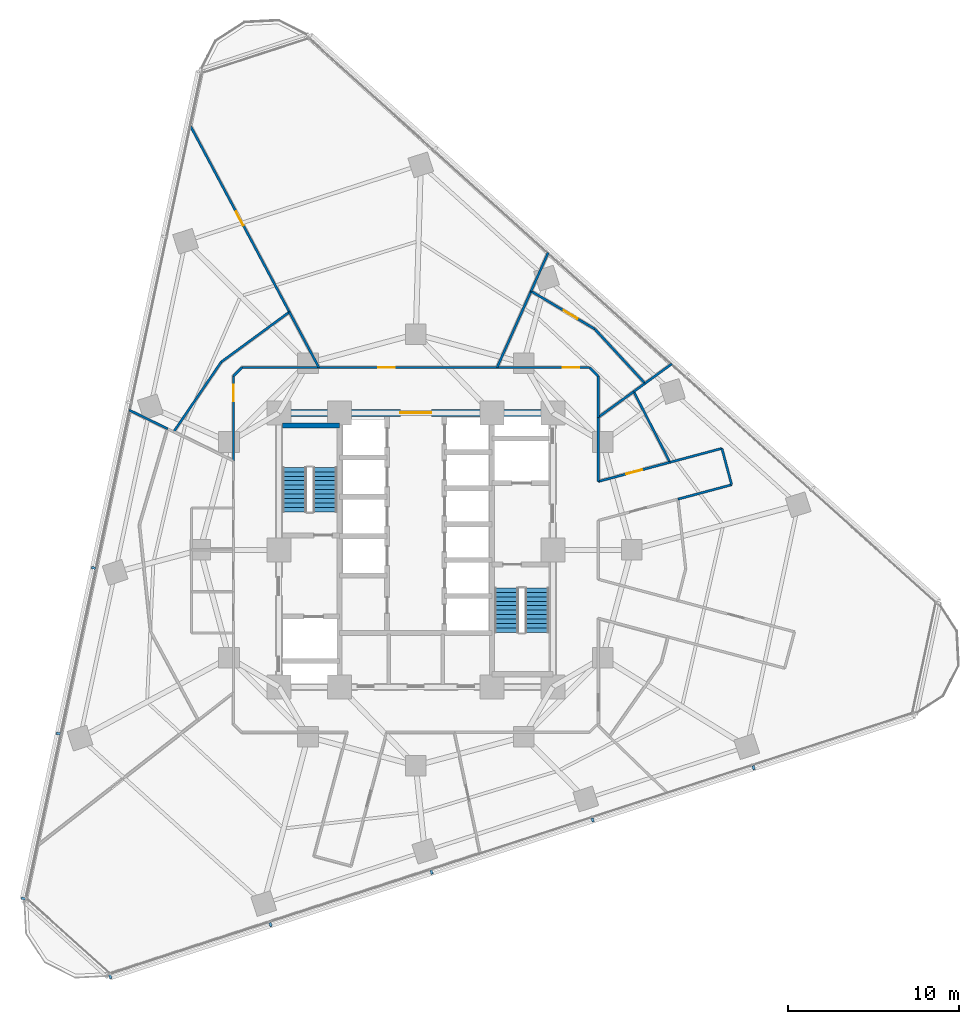
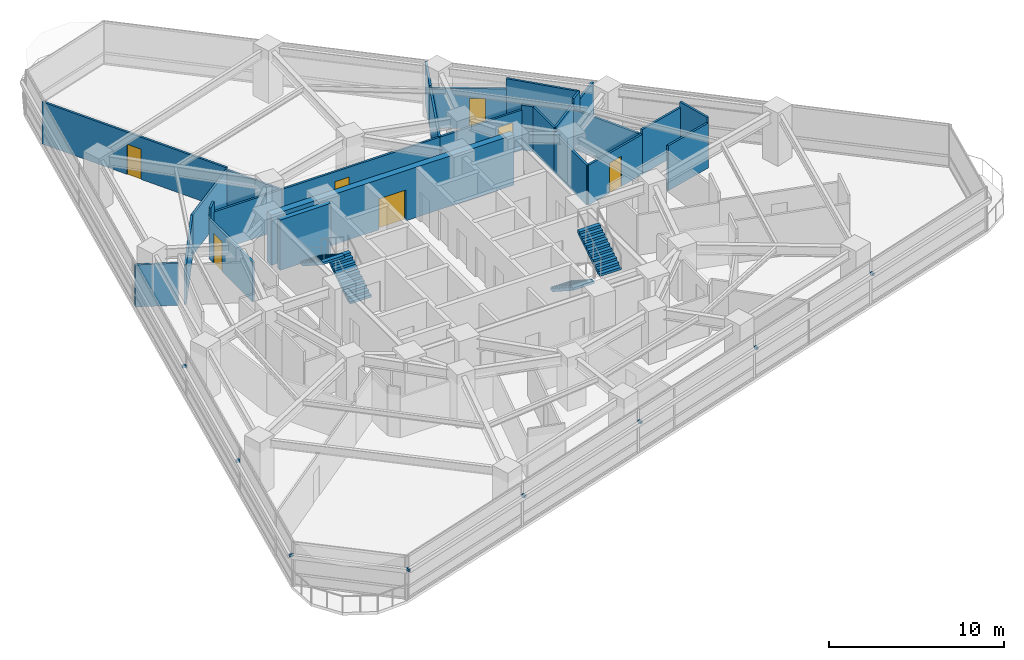
# One storey, part 9 of 13: 27 walls, 8 discrete accessories, 7 doors, 4 stair flights, 7 openings, 2 elements without a shape of their own.
"""IFC4 building model written with IfcOpenShell, lengths in metres."""

from ifc_helpers import new_model, si_unit, direction, frame, frame_2d, origin, origin_2d, place, context, subcontext, project, spatial, polyline, rectangle, outline, extrude, material, layer, layer_set, type_object, element, fill, aggregate, save


model = new_model("IFC4")

# Units and contexts
model_context = context("Model", 3, precision=1e-05, world=origin(), true_north=direction((0.0, 1.0)))
body_context = subcontext(model_context, "Body", "Model", "MODEL_VIEW")
ifc_project = project(units=[si_unit("LENGTHUNIT", "METRE"), si_unit("AREAUNIT", "SQUARE_METRE"), si_unit("VOLUMEUNIT", "CUBIC_METRE"), si_unit("PLANEANGLEUNIT", "RADIAN"), si_unit("MASSUNIT", "GRAM", prefix="KILO")], contexts=[model_context])

# Site, building, storey
site_placement = place(None, origin())
site = spatial("IfcSite", under=ifc_project, at=site_placement, CompositionType="ELEMENT")
building_placement = place(site_placement, origin())
building = spatial("IfcBuilding", under=site, at=building_placement, Name="Terralouvre Media Tower", CompositionType="ELEMENT")
storey_placement = place(building_placement, frame((0.0, 0.0, 108.800048828125)))
storey = spatial("IfcBuildingStorey", under=building, at=storey_placement, Name="L27", CompositionType="ELEMENT", Elevation=108.800048828125)

# Wall
ifc_material_1 = material(Name="Concrete C50/60", Category="concrete")
ifc_layer_1 = layer(ifc_material_1, 0.300048828125, Name="Core Internal Shaft Wall CW-300")
ifc_layer_set_1 = layer_set([ifc_layer_1], Name="Concrete C50/60")
wall_type_1 = type_object("IfcWallType", Name="Core Internal Shaft Wall CW-300", PredefinedType="SHEAR", material=ifc_layer_set_1)
wall_1_placement = place(storey_placement, frame((-7.7900390625, 7.260009765625, 0.0), z_axis=(0.0, 0.0, 1.0), x_axis=(1.0, 0.0, 0.0)))
element("IfcWall", 1, at=wall_1_placement, inside=storey, type_object=wall_type_1, Name="L27 Core Shaft Wall ST1F", PredefinedType="SHEAR", context=body_context, shape_type="SweptSolid", body=[
    extrude(rectangle(XDim=3.340087890625, YDim=0.300048828125, at=frame_2d((1.669921875, 0.0))), origin(), (0.0, 0.0, 1.0), 3.5),
])

# Wall, opening, door
ifc_material_2 = material(Name="Concrete C60/75", Category="concrete")
ifc_layer_2 = layer(ifc_material_2, 0.419921875, Name="Core Reinforced Concrete Shear Wall CW-420")
ifc_layer_set_2 = layer_set([ifc_layer_2], Name="Concrete C60/75")
wall_type_2 = type_object("IfcWallType", Name="Core Reinforced Concrete Shear Wall CW-420", PredefinedType="SHEAR", material=ifc_layer_set_2)
wall_2_placement = place(storey_placement, frame((-8.0, 8.0, 0.0), z_axis=(0.0, 0.0, 1.0), x_axis=(1.0, 0.0, 0.0)))
wall_2 = element("IfcWall", 2, at=wall_2_placement, inside=storey, type_object=wall_type_2, Name="L27 N Core Shear Wall", PredefinedType="SHEAR", context=body_context, shape_type="SweptSolid", body=[
    extrude(rectangle(XDim=16.0, YDim=0.419921875, at=frame_2d((8.0, 0.0))), origin(), (0.0, 0.0, 1.0), 3.5),
])
opening_1_placement = place(wall_2_placement, frame((7.10009765625, 0.0, 0.0)))
opening_1 = element("IfcOpeningElement", 3, at=opening_1_placement, cuts=wall_2, Name="Opening FD-03", PredefinedType="OPENING", context=body_context, shape_type="SweptSolid", body=[
    extrude(rectangle(XDim=1.800048828125, YDim=2.14990234375, at=frame_2d((0.89990234375, 1.074951171875))), frame((0.0, 0.219970703125, 0.0), z_axis=(0.0, -1.0, 0.0), x_axis=(1.0, 0.0, 0.0)), (0.0, 0.0, 1.0), 0.43994140625),
])
ifc_material_3 = material(Name="Galvanised steel fire-resisting leaf", Category="steel")
door_type_1 = type_object("IfcDoorType", Name="Corridor Smoke-Control Double Door FD-03", OperationType="DOUBLE_DOOR_SINGLE_SWING", PredefinedType="DOOR", material=ifc_material_3)
door_1_placement = place(opening_1_placement, origin())
door_1 = element("IfcDoor", 4, at=door_1_placement, inside=storey, type_object=door_type_1, Name="L27 Central Lift Lobby Portal Door", OperationType="DOUBLE_DOOR_SINGLE_SWING", OverallHeight=2.14990234375, OverallWidth=1.800048828125, PredefinedType="DOOR", context=body_context, shape_type="SweptSolid", body=[
    extrude(rectangle(XDim=1.800048828125, YDim=2.14990234375, at=frame_2d((0.89990234375, 1.074951171875))), frame((0.0, 0.02490234375, 0.0), z_axis=(0.0, -1.0, 0.0), x_axis=(1.0, 0.0, 0.0)), (0.0, 0.0, 1.0), 0.050048828125),
])
fill(opening_1, door_1)

# Walls
ifc_material_4 = material(Name="Fire-rated gypsum board drywall partition")
ifc_layer_3 = layer(ifc_material_4, 0.135009765625, Name="Newsroom Acoustic Partition PT-135")
ifc_layer_set_3 = layer_set([ifc_layer_3], Name="Fire-rated gypsum board drywall partition")
wall_type_3 = type_object("IfcWallType", Name="Newsroom Acoustic Partition PT-135", PredefinedType="PARTITIONING", material=ifc_layer_set_3)
wall_3_placement = place(storey_placement, frame((15.306884765625, 2.962890625, 0.0), z_axis=(0.0, 0.0, 1.0), x_axis=(0.965966165677, 0.258668449501, 0.0)))
element("IfcWall", 5, at=wall_3_placement, inside=storey, type_object=wall_type_3, Name="L27 Interior Partition 011", PredefinedType="PARTITIONING", context=body_context, shape_type="SweptSolid", body=[
    extrude(rectangle(XDim=3.247802734375, YDim=0.135009765625, at=frame_2d((1.6240234375, 0.0))), origin(), (0.0, 0.0, 1.0), 3.125),
])
wall_4_placement = place(storey_placement, frame((18.444091796875, 3.802978515625, 0.0), z_axis=(0.0, 0.0, 1.0), x_axis=(-0.258691706618, 0.965959937537, 0.0)))
element("IfcWall", 6, at=wall_4_placement, inside=storey, type_object=wall_type_3, Name="L27 Interior Partition 012", PredefinedType="PARTITIONING", context=body_context, shape_type="SweptSolid", body=[
    extrude(rectangle(XDim=2.199951171875, YDim=0.135009765625, at=frame_2d((1.10009765625, 0.0))), origin(), (0.0, 0.0, 1.0), 3.5),
])
wall_5_placement = place(storey_placement, frame((17.875, 5.927978515625, 0.0), z_axis=(0.0, 0.0, 1.0), x_axis=(-0.96597893007, -0.258620777704, 0.0)))
element("IfcWall", 7, at=wall_5_placement, inside=storey, type_object=wall_type_3, Name="L27 Interior Partition 013", PredefinedType="PARTITIONING", context=body_context, shape_type="SweptSolid", body=[
    extrude(rectangle(XDim=3.139892578125, YDim=0.135009765625, at=frame_2d((1.56982421875, 0.0))), origin(), (0.0, 0.0, 1.0), 3.125),
])

# Wall, opening, door
wall_6_placement = place(storey_placement, frame((14.842041015625, 5.115966796875, 0.0), z_axis=(0.0, 0.0, 1.0), x_axis=(-0.965883000332, -0.258978820891, 0.0)))
wall_6 = element("IfcWall", 8, at=wall_6_placement, inside=storey, type_object=wall_type_3, Name="L27 Interior Partition 019", PredefinedType="PARTITIONING", context=body_context, shape_type="SweptSolid", body=[
    extrude(rectangle(XDim=4.34033203125, YDim=0.135009765625, at=frame_2d((2.170166015625, 0.0))), origin(), (0.0, 0.0, 1.0), 2.784912109375),
])
opening_2_placement = place(wall_6_placement, frame((1.695068359375, 0.0, 0.0)))
opening_2 = element("IfcOpeningElement", 9, at=opening_2_placement, cuts=wall_6, Name="Opening ID-02-95X210", PredefinedType="OPENING", context=body_context, shape_type="SweptSolid", body=[
    extrude(rectangle(XDim=0.949951171875, YDim=2.10009765625, at=frame_2d((0.47509765625, 1.050048828125))), frame((0.0, 0.077392578125, 0.0), z_axis=(0.0, -1.0, 0.0), x_axis=(1.0, 0.0, 0.0)), (0.0, 0.0, 1.0), 0.155029296875),
])
ifc_material_5 = material(Name="Engineered hardwood acoustic timber leaf", Category="wood")
door_type_2 = type_object("IfcDoorType", Name="Office and Meeting Room Door ID-02 (950x2100)", OperationType="NOTDEFINED", PredefinedType="DOOR", material=ifc_material_5)
door_2_placement = place(opening_2_placement, origin())
door_2 = element("IfcDoor", 10, at=door_2_placement, inside=storey, type_object=door_type_2, Name="L27 Wellness Club Reception 5 Door", OperationType="SINGLE_SWING_RIGHT", OverallHeight=2.10009765625, OverallWidth=0.949951171875, PredefinedType="DOOR", context=body_context, shape_type="SweptSolid", body=[
    extrude(rectangle(XDim=0.949951171875, YDim=2.10009765625, at=frame_2d((0.47509765625, 1.050048828125))), frame((0.0, 0.02490234375, 0.0), z_axis=(0.0, -1.0, 0.0), x_axis=(1.0, 0.0, 0.0)), (0.0, 0.0, 1.0), 0.050048828125),
])
fill(opening_2, door_2)

# Walls
wall_7_placement = place(storey_placement, frame((10.64990234375, 3.991943359375, 0.0), z_axis=(0.0, 0.0, 1.0), x_axis=(0.0, 1.0, 0.0)))
element("IfcWall", 11, at=wall_7_placement, inside=storey, type_object=wall_type_3, Name="L27 Interior Partition 020", PredefinedType="PARTITIONING", context=body_context, shape_type="SweptSolid", body=[
    extrude(rectangle(XDim=3.74609375, YDim=0.135009765625, at=frame_2d((1.873046875, 0.0))), origin(), (0.0, 0.0, 1.0), 2.784912109375),
])
wall_8_placement = place(storey_placement, frame((10.64990234375, 7.738037109375, 0.0), z_axis=(0.0, 0.0, 1.0), x_axis=(0.0, 1.0, 0.0)))
element("IfcWall", 12, at=wall_8_placement, inside=storey, type_object=wall_type_3, Name="L27 Interior Partition 027", PredefinedType="PARTITIONING", context=body_context, shape_type="SweptSolid", body=[
    extrude(rectangle(XDim=2.411865234375, YDim=0.135009765625, at=frame_2d((1.2060546875, 0.0))), origin(), (0.0, 0.0, 1.0), 3.125),
])
wall_9_placement = place(storey_placement, frame((10.64990234375, 10.14990234375, 0.0), z_axis=(0.0, 0.0, 1.0), x_axis=(-0.707106781187, 0.707106781187, 0.0)))
element("IfcWall", 13, at=wall_9_placement, inside=storey, type_object=wall_type_3, Name="L27 Interior Partition 028", PredefinedType="PARTITIONING", context=body_context, shape_type="SweptSolid", body=[
    extrude(rectangle(XDim=0.70703125, YDim=0.135009765625, at=frame_2d((0.353515625, 0.0))), origin(), (0.0, 0.0, 1.0), 3.125),
])

# Wall, opening, door
wall_10_placement = place(storey_placement, frame((10.14990234375, 10.64990234375, 0.0), z_axis=(0.0, 0.0, 1.0), x_axis=(-1.0, 0.0, 0.0)))
wall_10 = element("IfcWall", 14, at=wall_10_placement, inside=storey, type_object=wall_type_3, Name="L27 Interior Partition 029", PredefinedType="PARTITIONING", context=body_context, shape_type="SweptSolid", body=[
    extrude(rectangle(XDim=5.407958984375, YDim=0.135009765625, at=frame_2d((2.7041015625, 0.0))), origin(), (0.0, 0.0, 1.0), 2.784912109375),
])
opening_3_placement = place(wall_10_placement, frame((0.606689453125, 0.0, 0.0)))
opening_3 = element("IfcOpeningElement", 15, at=opening_3_placement, cuts=wall_10, Name="Opening ID-02-95X210", PredefinedType="OPENING", context=body_context, shape_type="SweptSolid", body=[
    extrude(rectangle(XDim=0.949951171875, YDim=2.10009765625, at=frame_2d((0.47509765625, 1.050048828125))), frame((0.0, 0.077392578125, 0.0), z_axis=(0.0, -1.0, 0.0), x_axis=(1.0, 0.0, 0.0)), (0.0, 0.0, 1.0), 0.155029296875),
])
door_3_placement = place(opening_3_placement, origin())
door_3 = element("IfcDoor", 16, at=door_3_placement, inside=storey, type_object=door_type_2, Name="L27 Staff Wellness Fitness Gym 10 Door", OperationType="SINGLE_SWING_RIGHT", OverallHeight=2.10009765625, OverallWidth=0.949951171875, PredefinedType="DOOR", context=body_context, shape_type="SweptSolid", body=[
    extrude(rectangle(XDim=0.949951171875, YDim=2.10009765625, at=frame_2d((0.47509765625, 1.050048828125))), frame((0.0, 0.02490234375, 0.0), z_axis=(0.0, -1.0, 0.0), x_axis=(1.0, 0.0, 0.0)), (0.0, 0.0, 1.0), 0.050048828125),
])
fill(opening_3, door_3)

wall_11_placement = place(storey_placement, frame((4.741943359375, 10.64990234375, 0.0), z_axis=(0.0, 0.0, 1.0), x_axis=(-1.0, 0.0, 0.0)))
wall_11 = element("IfcWall", 17, at=wall_11_placement, inside=storey, type_object=wall_type_3, Name="L27 Interior Partition 030", PredefinedType="PARTITIONING", context=body_context, shape_type="SweptSolid", body=[
    extrude(rectangle(XDim=10.405029296875, YDim=0.135009765625, at=frame_2d((5.20263671875, 0.0))), origin(), (0.0, 0.0, 1.0), 2.784912109375),
])
opening_4_placement = place(wall_11_placement, frame((5.97607421875, 0.0, 0.0)))
opening_4 = element("IfcOpeningElement", 18, at=opening_4_placement, cuts=wall_11, Name="Opening ID-02-95X210", PredefinedType="OPENING", context=body_context, shape_type="SweptSolid", body=[
    extrude(rectangle(XDim=0.949951171875, YDim=2.10009765625, at=frame_2d((0.47509765625, 1.050048828125))), frame((0.0, 0.077392578125, 0.0), z_axis=(0.0, -1.0, 0.0), x_axis=(1.0, 0.0, 0.0)), (0.0, 0.0, 1.0), 0.155029296875),
])
door_4_placement = place(opening_4_placement, origin())
door_4 = element("IfcDoor", 19, at=door_4_placement, inside=storey, type_object=door_type_2, Name="L27 Mindfulness Recreation Club 11 Door", OperationType="SINGLE_SWING_LEFT", OverallHeight=2.10009765625, OverallWidth=0.949951171875, PredefinedType="DOOR", context=body_context, shape_type="SweptSolid", body=[
    extrude(rectangle(XDim=0.949951171875, YDim=2.10009765625, at=frame_2d((0.47509765625, 1.050048828125))), frame((0.0, 0.02490234375, 0.0), z_axis=(0.0, -1.0, 0.0), x_axis=(1.0, 0.0, 0.0)), (0.0, 0.0, 1.0), 0.050048828125),
])
fill(opening_4, door_4)

# Walls
wall_12_placement = place(storey_placement, frame((-5.6630859375, 10.64990234375, 0.0), z_axis=(0.0, 0.0, 1.0), x_axis=(-1.0, 0.0, 0.0)))
element("IfcWall", 20, at=wall_12_placement, inside=storey, type_object=wall_type_3, Name="L27 Interior Partition 031", PredefinedType="PARTITIONING", context=body_context, shape_type="SweptSolid", body=[
    extrude(rectangle(XDim=4.48681640625, YDim=0.135009765625, at=frame_2d((2.243408203125, 0.0))), origin(), (0.0, 0.0, 1.0), 2.784912109375),
])
wall_13_placement = place(storey_placement, frame((-10.14990234375, 10.64990234375, 0.0), z_axis=(0.0, 0.0, 1.0), x_axis=(-0.707106781187, -0.707106781187, 0.0)))
element("IfcWall", 21, at=wall_13_placement, inside=storey, type_object=wall_type_3, Name="L27 Interior Partition 032", PredefinedType="PARTITIONING", context=body_context, shape_type="SweptSolid", body=[
    extrude(rectangle(XDim=0.70703125, YDim=0.135009765625, at=frame_2d((0.353515625, 0.0))), origin(), (0.0, 0.0, 1.0), 3.5),
])

# Wall, opening, door
wall_14_placement = place(storey_placement, frame((-10.64990234375, 10.14990234375, 0.0), z_axis=(0.0, 0.0, 1.0), x_axis=(0.0, -1.0, 0.0)))
wall_14 = element("IfcWall", 22, at=wall_14_placement, inside=storey, type_object=wall_type_3, Name="L27 Interior Partition 033", PredefinedType="PARTITIONING", context=body_context, shape_type="SweptSolid", body=[
    extrude(rectangle(XDim=4.955810546875, YDim=0.135009765625, at=frame_2d((2.47802734375, 0.0))), origin(), (0.0, 0.0, 1.0), 2.784912109375),
])
opening_5_placement = place(wall_14_placement, frame((0.51611328125, 0.0, 0.0)))
opening_5 = element("IfcOpeningElement", 23, at=opening_5_placement, cuts=wall_14, Name="Opening ID-02-95X210", PredefinedType="OPENING", context=body_context, shape_type="SweptSolid", body=[
    extrude(rectangle(XDim=0.949951171875, YDim=2.10009765625, at=frame_2d((0.47509765625, 1.050048828125))), frame((0.0, 0.077392578125, 0.0), z_axis=(0.0, -1.0, 0.0), x_axis=(1.0, 0.0, 0.0)), (0.0, 0.0, 1.0), 0.155029296875),
])
door_5_placement = place(opening_5_placement, origin())
door_5 = element("IfcDoor", 24, at=door_5_placement, inside=storey, type_object=door_type_2, Name="L27 Terrace View Hospitality Lounge 13 Door", OperationType="SINGLE_SWING_RIGHT", OverallHeight=2.10009765625, OverallWidth=0.949951171875, PredefinedType="DOOR", context=body_context, shape_type="SweptSolid", body=[
    extrude(rectangle(XDim=0.949951171875, YDim=2.10009765625, at=frame_2d((0.47509765625, 1.050048828125))), frame((0.0, 0.02490234375, 0.0), z_axis=(0.0, -1.0, 0.0), x_axis=(1.0, 0.0, 0.0)), (0.0, 0.0, 1.0), 0.050048828125),
])
fill(opening_5, door_5)

# Walls
wall_15_placement = place(storey_placement, frame((12.72607421875, 9.24609375, 0.0), z_axis=(0.0, 0.0, 1.0), x_axis=(0.455967351564, -0.889996502413, 0.0)))
element("IfcWall", 25, at=wall_15_placement, inside=storey, type_object=wall_type_3, Name="L27 Interior Partition 042", PredefinedType="PARTITIONING", context=body_context, shape_type="SweptSolid", body=[
    extrude(rectangle(XDim=4.640625, YDim=0.135009765625, at=frame_2d((2.3203125, 0.0))), origin(), (0.0, 0.0, 1.0), 2.784912109375),
])
wall_16_placement = place(storey_placement, frame((14.947021484375, 10.860107421875, 0.0), z_axis=(0.0, 0.0, 1.0), x_axis=(-0.809090948161, -0.58768345017, 0.0)))
element("IfcWall", 26, at=wall_16_placement, inside=storey, type_object=wall_type_3, Name="L27 Interior Partition 044", PredefinedType="PARTITIONING", context=body_context, shape_type="SweptSolid", body=[
    extrude(rectangle(XDim=1.93310546875, YDim=0.135009765625, at=frame_2d((0.966552734375, 0.0))), origin(), (0.0, 0.0, 1.0), 2.93505859375),
])
wall_17_placement = place(storey_placement, frame((13.383056640625, 9.72412109375, 0.0), z_axis=(0.0, 0.0, 1.0), x_axis=(-0.808606124949, -0.588350350297, 0.0)))
element("IfcWall", 27, at=wall_17_placement, inside=storey, type_object=wall_type_3, Name="L27 Interior Partition 045", PredefinedType="PARTITIONING", context=body_context, shape_type="SweptSolid", body=[
    extrude(rectangle(XDim=0.8125, YDim=0.135009765625, at=frame_2d((0.40625, 0.0))), origin(), (0.0, 0.0, 1.0), 3.5),
])
wall_18_placement = place(storey_placement, frame((12.72607421875, 9.24609375, 0.0), z_axis=(0.0, 0.0, 1.0), x_axis=(-0.80908565166, -0.587690742039, 0.0)))
element("IfcWall", 28, at=wall_18_placement, inside=storey, type_object=wall_type_3, Name="L27 Interior Partition 047", PredefinedType="PARTITIONING", context=body_context, shape_type="SweptSolid", body=[
    extrude(rectangle(XDim=2.566162109375, YDim=0.135009765625, at=frame_2d((1.283203125, 0.0))), origin(), (0.0, 0.0, 1.0), 3.125),
])
wall_19_placement = place(storey_placement, frame((-14.490966796875, 7.068115234375, 0.0), z_axis=(0.0, 0.0, 1.0), x_axis=(-0.898774071038, 0.438412099777, 0.0)))
element("IfcWall", 29, at=wall_19_placement, inside=storey, type_object=wall_type_3, Name="L27 Interior Partition 060", PredefinedType="PARTITIONING", context=body_context, shape_type="SweptSolid", body=[
    extrude(rectangle(XDim=2.502685546875, YDim=0.135009765625, at=frame_2d((1.25146484375, 0.0))), origin(), (0.0, 0.0, 1.0), 2.925048828125),
])

# Wall, opening, door
wall_20_placement = place(storey_placement, frame((6.72900390625, 15.113037109375, 0.0), z_axis=(0.0, 0.0, 1.0), x_axis=(0.859389125663, -0.511322139841, 0.0)))
wall_20 = element("IfcWall", 30, at=wall_20_placement, inside=storey, type_object=wall_type_3, Name="L27 Interior Partition 061", PredefinedType="PARTITIONING", context=body_context, shape_type="SweptSolid", body=[
    extrude(rectangle(XDim=4.326416015625, YDim=0.135009765625, at=frame_2d((2.1630859375, 0.0))), origin(), (0.0, 0.0, 1.0), 2.784912109375),
])
opening_6_placement = place(wall_20_placement, frame((2.222412109375, 0.0, 0.0)))
opening_6 = element("IfcOpeningElement", 31, at=opening_6_placement, cuts=wall_20, Name="Opening ID-03-92X210", PredefinedType="OPENING", context=body_context, shape_type="SweptSolid", body=[
    extrude(rectangle(XDim=0.919921875, YDim=2.10009765625, at=frame_2d((0.4599609375, 1.050048828125))), frame((0.0, 0.077392578125, 0.0), z_axis=(0.0, -1.0, 0.0), x_axis=(1.0, 0.0, 0.0)), (0.0, 0.0, 1.0), 0.155029296875),
])
ifc_material_6 = material(Name="Engineered hardwood acoustic timber leaf", Category="wood")
door_type_3 = type_object("IfcDoorType", Name="Accessible Restroom and Suite Door ID-03 (920x2100)", OperationType="NOTDEFINED", PredefinedType="DOOR", material=ifc_material_6)
door_6_placement = place(opening_6_placement, origin())
door_6 = element("IfcDoor", 32, at=door_6_placement, inside=storey, type_object=door_type_3, Name="L27 Medical Journalism Research Office 9 Door", OperationType="SINGLE_SWING_RIGHT", OverallHeight=2.10009765625, OverallWidth=0.919921875, PredefinedType="DOOR", context=body_context, shape_type="SweptSolid", body=[
    extrude(rectangle(XDim=0.919921875, YDim=2.10009765625, at=frame_2d((0.4599609375, 1.050048828125))), frame((0.0, 0.02490234375, 0.0), z_axis=(0.0, -1.0, 0.0), x_axis=(1.0, 0.0, 0.0)), (0.0, 0.0, 1.0), 0.050048828125),
])
fill(opening_6, door_6)

# Walls
wall_21_placement = place(storey_placement, frame((10.447021484375, 12.90087890625, 0.0), z_axis=(0.0, 0.0, 1.0), x_axis=(0.678734730072, -0.734383527997, 0.0)))
element("IfcWall", 33, at=wall_21_placement, inside=storey, type_object=wall_type_3, Name="L27 Interior Partition 062", PredefinedType="PARTITIONING", context=body_context, shape_type="SweptSolid", body=[
    extrude(rectangle(XDim=4.32568359375, YDim=0.135009765625, at=frame_2d((2.162841796875, 0.0))), origin(), (0.0, 0.0, 1.0), 3.5),
])
wall_22_placement = place(storey_placement, frame((7.72900390625, 17.359130859375, 0.0), z_axis=(0.0, 0.0, 1.0), x_axis=(-0.406728032322, -0.913549291349, 0.0)))
element("IfcWall", 34, at=wall_22_placement, inside=storey, type_object=wall_type_3, Name="L27 Interior Partition 063", PredefinedType="PARTITIONING", context=body_context, shape_type="SweptSolid", body=[
    extrude(rectangle(XDim=2.458740234375, YDim=0.135009765625, at=frame_2d((1.2294921875, 0.0))), origin(), (0.0, 0.0, 1.0), 2.93505859375),
])
wall_23_placement = place(storey_placement, frame((6.72900390625, 15.113037109375, 0.0), z_axis=(0.0, 0.0, 1.0), x_axis=(-0.406727234472, -0.913549646565, 0.0)))
element("IfcWall", 35, at=wall_23_placement, inside=storey, type_object=wall_type_3, Name="L27 Interior Partition 064", PredefinedType="PARTITIONING", context=body_context, shape_type="SweptSolid", body=[
    extrude(rectangle(XDim=4.885498046875, YDim=0.135009765625, at=frame_2d((2.44287109375, 0.0))), origin(), (0.0, 0.0, 1.0), 2.784912109375),
])

# Wall, opening, door
wall_24_placement = place(storey_placement, frame((-13.19921875, 24.82421875, 0.0), z_axis=(0.0, 0.0, 1.0), x_axis=(0.46947528178, -0.882945615425, 0.0)))
wall_24 = element("IfcWall", 36, at=wall_24_placement, inside=storey, type_object=wall_type_3, Name="L27 Interior Partition 065", PredefinedType="PARTITIONING", context=body_context, shape_type="SweptSolid", body=[
    extrude(rectangle(XDim=12.38037109375, YDim=0.135009765625, at=frame_2d((6.190185546875, 0.0))), origin(), (0.0, 0.0, 1.0), 2.93505859375),
])
opening_7_placement = place(wall_24_placement, frame((5.72998046875, 0.0, 0.0)))
opening_7 = element("IfcOpeningElement", 37, at=opening_7_placement, cuts=wall_24, Name="Opening ID-03-92X210", PredefinedType="OPENING", context=body_context, shape_type="SweptSolid", body=[
    extrude(rectangle(XDim=0.919921875, YDim=2.10009765625, at=frame_2d((0.4599609375, 1.050048828125))), frame((0.0, 0.077392578125, 0.0), z_axis=(0.0, -1.0, 0.0), x_axis=(1.0, 0.0, 0.0)), (0.0, 0.0, 1.0), 0.155029296875),
])
door_7_placement = place(opening_7_placement, origin())
door_7 = element("IfcDoor", 38, at=door_7_placement, inside=storey, type_object=door_type_3, Name="L27 Broadcast Club Dining Room 12 Door", OperationType="SINGLE_SWING_LEFT", OverallHeight=2.10009765625, OverallWidth=0.919921875, PredefinedType="DOOR", context=body_context, shape_type="SweptSolid", body=[
    extrude(rectangle(XDim=0.919921875, YDim=2.10009765625, at=frame_2d((0.4599609375, 1.050048828125))), frame((0.0, 0.02490234375, 0.0), z_axis=(0.0, -1.0, 0.0), x_axis=(1.0, 0.0, 0.0)), (0.0, 0.0, 1.0), 0.050048828125),
])
fill(opening_7, door_7)

# Walls
wall_25_placement = place(storey_placement, frame((-7.386962890625, 13.89306640625, 0.0), z_axis=(0.0, 0.0, 1.0), x_axis=(0.469356096826, -0.883008977515, 0.0)))
element("IfcWall", 39, at=wall_25_placement, inside=storey, type_object=wall_type_3, Name="L27 Interior Partition 066", PredefinedType="PARTITIONING", context=body_context, shape_type="SweptSolid", body=[
    extrude(rectangle(XDim=3.6728515625, YDim=0.135009765625, at=frame_2d((1.83642578125, 0.0))), origin(), (0.0, 0.0, 1.0), 2.784912109375),
])
wall_26_placement = place(storey_placement, frame((-14.14208984375, 6.89794921875, 0.0), z_axis=(0.0, 0.0, 1.0), x_axis=(0.562725506953, 0.826643819202, 0.0)))
element("IfcWall", 40, at=wall_26_placement, inside=storey, type_object=wall_type_3, Name="L27 Interior Partition 067", PredefinedType="PARTITIONING", context=body_context, shape_type="SweptSolid", body=[
    extrude(rectangle(XDim=4.933349609375, YDim=0.135009765625, at=frame_2d((2.466796875, 0.0))), origin(), (0.0, 0.0, 1.0), 2.784912109375),
])
wall_27_placement = place(storey_placement, frame((-11.365966796875, 10.97607421875, 0.0), z_axis=(0.0, 0.0, 1.0), x_axis=(0.806496231999, 0.591239230576, 0.0)))
element("IfcWall", 41, at=wall_27_placement, inside=storey, type_object=wall_type_3, Name="L27 Interior Partition 068", PredefinedType="PARTITIONING", context=body_context, shape_type="SweptSolid", body=[
    extrude(rectangle(XDim=4.93359375, YDim=0.135009765625, at=frame_2d((2.466796875, 0.0))), origin(), (0.0, 0.0, 1.0), 2.784912109375),
])

# Stair, stair flights
ifc_material_7 = material(Name="Concrete C45/55", Category="concrete")
stair_type_1 = type_object("IfcStairType", Name="Dogleg Stair Assembly ST-01", PredefinedType="HALF_TURN_STAIR", material=ifc_material_7)
stair_1_placement = place(storey_placement, origin())
stair_1 = element("IfcStair", 42, at=stair_1_placement, inside=storey, type_object=stair_type_1, Name="L27 Core Pressurised Exit Stair ST-01", PredefinedType="HALF_TURN_STAIR")
ifc_material_8 = material(Name="Concrete C45/55", Category="concrete")
stair_flight_type = type_object("IfcStairFlightType", Name="Reinforced Concrete Stair Flight SF-RC1", PredefinedType="STRAIGHT", material=ifc_material_8)
stair_flight_1_placement = place(storey_placement, frame((-5.300048828125, 2.219970703125, 0.0), z_axis=(0.0, 0.0, 1.0), x_axis=(0.0, 1.0, 0.0)))
stair_flight_1 = element("IfcStairFlight", 43, at=stair_flight_1_placement, type_object=stair_flight_type, Name="ST-01 flight 1", NumberOfRisers=11, NumberOfTreads=10, PredefinedType="STRAIGHT", RiserHeight=0.168181818, TreadLength=0.26, context=body_context, shape_type="SweptSolid", body=[
    extrude(outline(polyline([(0.0, 0.0), (0.0, 0.168212890625), (0.260009765625, 0.168212890625), (0.260009765625, 0.33642578125), (0.52001953125, 0.33642578125), (0.52001953125, 0.504638671875), (0.780029296875, 0.504638671875), (0.780029296875, 0.672607421875), (1.0400390625, 0.672607421875), (1.0400390625, 0.8408203125), (1.300048828125, 0.8408203125), (1.300048828125, 1.009033203125), (1.56005859375, 1.009033203125), (1.56005859375, 1.17724609375), (1.820068359375, 1.17724609375), (1.820068359375, 1.345458984375), (2.080078125, 1.345458984375), (2.080078125, 1.513671875), (2.340087890625, 1.513671875), (2.340087890625, 1.681884765625), (2.60009765625, 1.681884765625), (2.60009765625, 1.85009765625), (2.60009765625, 1.503173828125), (0.27587890625, 0.0), (0.0, 0.0)])), frame((0.0, 0.699951171875, 0.0), z_axis=(0.0, -1.0, 0.0), x_axis=(1.0, 0.0, 0.0)), (0.0, 0.0, 1.0), 1.39990234375),
])
stair_flight_2_placement = place(storey_placement, frame((-7.080078125, 4.820068359375, 1.849853515625), z_axis=(0.0, 0.0, 1.0), x_axis=(0.0, -1.0, 0.0)))
stair_flight_2 = element("IfcStairFlight", 44, at=stair_flight_2_placement, type_object=stair_flight_type, Name="ST-01 flight 2", NumberOfRisers=11, NumberOfTreads=10, PredefinedType="STRAIGHT", RiserHeight=0.168181818, TreadLength=0.26, context=body_context, shape_type="SweptSolid", body=[
    extrude(outline(polyline([(0.0, 0.0), (0.0, 0.168212890625), (0.260009765625, 0.168212890625), (0.260009765625, 0.33642578125), (0.52001953125, 0.33642578125), (0.52001953125, 0.504638671875), (0.780029296875, 0.504638671875), (0.780029296875, 0.672607421875), (1.0400390625, 0.672607421875), (1.0400390625, 0.8408203125), (1.300048828125, 0.8408203125), (1.300048828125, 1.009033203125), (1.56005859375, 1.009033203125), (1.56005859375, 1.17724609375), (1.820068359375, 1.17724609375), (1.820068359375, 1.345458984375), (2.080078125, 1.345458984375), (2.080078125, 1.513671875), (2.340087890625, 1.513671875), (2.340087890625, 1.681884765625), (2.60009765625, 1.681884765625), (2.60009765625, 1.85009765625), (2.60009765625, 1.503173828125), (0.27587890625, 0.0), (0.0, 0.0)])), frame((0.0, 0.699951171875, 0.0), z_axis=(0.0, -1.0, 0.0), x_axis=(1.0, 0.0, 0.0)), (0.0, 0.0, 1.0), 1.39990234375),
])
aggregate(stair_1, [stair_flight_1, stair_flight_2])

ifc_material_9 = material(Name="Concrete C45/55", Category="concrete")
stair_type_2 = type_object("IfcStairType", Name="Dogleg Stair Assembly ST-02", PredefinedType="HALF_TURN_STAIR", material=ifc_material_9)
stair_2_placement = place(storey_placement, origin())
stair_2 = element("IfcStair", 45, at=stair_2_placement, inside=storey, type_object=stair_type_2, Name="L27 Core Pressurised Exit Stair ST-02", PredefinedType="HALF_TURN_STAIR")
stair_flight_3_placement = place(storey_placement, frame((5.300048828125, -2.219970703125, 0.0), z_axis=(0.0, 0.0, 1.0), x_axis=(0.0, -1.0, 0.0)))
stair_flight_3 = element("IfcStairFlight", 46, at=stair_flight_3_placement, type_object=stair_flight_type, Name="ST-02 flight 1", NumberOfRisers=11, NumberOfTreads=10, PredefinedType="STRAIGHT", RiserHeight=0.168181818, TreadLength=0.26, context=body_context, shape_type="SweptSolid", body=[
    extrude(outline(polyline([(0.0, 0.0), (0.0, 0.168212890625), (0.260009765625, 0.168212890625), (0.260009765625, 0.33642578125), (0.52001953125, 0.33642578125), (0.52001953125, 0.504638671875), (0.780029296875, 0.504638671875), (0.780029296875, 0.672607421875), (1.0400390625, 0.672607421875), (1.0400390625, 0.8408203125), (1.300048828125, 0.8408203125), (1.300048828125, 1.009033203125), (1.56005859375, 1.009033203125), (1.56005859375, 1.17724609375), (1.820068359375, 1.17724609375), (1.820068359375, 1.345458984375), (2.080078125, 1.345458984375), (2.080078125, 1.513671875), (2.340087890625, 1.513671875), (2.340087890625, 1.681884765625), (2.60009765625, 1.681884765625), (2.60009765625, 1.85009765625), (2.60009765625, 1.503173828125), (0.27587890625, 0.0), (0.0, 0.0)])), frame((0.0, 0.699951171875, 0.0), z_axis=(0.0, -1.0, 0.0), x_axis=(1.0, 0.0, 0.0)), (0.0, 0.0, 1.0), 1.39990234375),
])
stair_flight_4_placement = place(storey_placement, frame((7.080078125, -4.820068359375, 1.849853515625), z_axis=(0.0, 0.0, 1.0), x_axis=(0.0, 1.0, 0.0)))
stair_flight_4 = element("IfcStairFlight", 47, at=stair_flight_4_placement, type_object=stair_flight_type, Name="ST-02 flight 2", NumberOfRisers=11, NumberOfTreads=10, PredefinedType="STRAIGHT", RiserHeight=0.168181818, TreadLength=0.26, context=body_context, shape_type="SweptSolid", body=[
    extrude(outline(polyline([(0.0, 0.0), (0.0, 0.168212890625), (0.260009765625, 0.168212890625), (0.260009765625, 0.33642578125), (0.52001953125, 0.33642578125), (0.52001953125, 0.504638671875), (0.780029296875, 0.504638671875), (0.780029296875, 0.672607421875), (1.0400390625, 0.672607421875), (1.0400390625, 0.8408203125), (1.300048828125, 0.8408203125), (1.300048828125, 1.009033203125), (1.56005859375, 1.009033203125), (1.56005859375, 1.17724609375), (1.820068359375, 1.17724609375), (1.820068359375, 1.345458984375), (2.080078125, 1.345458984375), (2.080078125, 1.513671875), (2.340087890625, 1.513671875), (2.340087890625, 1.681884765625), (2.60009765625, 1.681884765625), (2.60009765625, 1.85009765625), (2.60009765625, 1.503173828125), (0.27587890625, 0.0), (0.0, 0.0)])), frame((0.0, 0.699951171875, 0.0), z_axis=(0.0, -1.0, 0.0), x_axis=(1.0, 0.0, 0.0)), (0.0, 0.0, 1.0), 1.39990234375),
])
aggregate(stair_2, [stair_flight_3, stair_flight_4])

# Discrete accessories
ifc_material_10 = material(Name="Anodised extruded aluminium 6063-T6", Category="aluminium")
discrete_accessory_type = type_object("IfcDiscreteAccessoryType", Name="Mullion Stand-Off Baguette Fixing Bracket BK-01", PredefinedType="BRACKET", material=ifc_material_10)
for number, where, z_axis, x_axis, name in (
    (48, (-17.852783203125, -24.928955078125, 2.07421875), (0.0, 0.0, 1.0), (0.951056509451, 0.309017015439, 0.0), "CW-L27-F0 Baguette Outrigger Bracket 1.01"),
    (49, (-8.484375, -21.885009765625, 2.07421875), (0.0, 0.0, 1.0), (0.951056509451, 0.309017015439, 0.0), "CW-L27-F0 Baguette Outrigger Bracket 1.02"),
    (50, (0.919677734375, -18.82958984375, 2.07421875), (0.0, 0.0, 1.0), (0.951056509451, 0.309017015439, 0.0), "CW-L27-F0 Baguette Outrigger Bracket 1.03"),
    (51, (10.32373046875, -15.77392578125, 2.07421875), (0.0, 0.0, 1.0), (0.951056509451, 0.309017015439, 0.0), "CW-L27-F0 Baguette Outrigger Bracket 1.04"),
    (52, (19.727783203125, -12.71826171875, 2.07421875), (0.0, 0.0, 1.0), (0.951056509451, 0.309017015439, 0.0), "CW-L27-F0 Baguette Outrigger Bracket 1.05"),
    (53, (-18.822509765625, -1.0537109375, 2.07421875), (0.0, 0.0, 1.0), (-0.207911643887, -0.978147610709, 0.0), "CW-L27-F2 Baguette Outrigger Bracket 1.04"),
    (54, (-20.87841796875, -10.7255859375, 2.07421875), (0.0, 0.0, 1.0), (-0.207911643887, -0.978147610709, 0.0), "CW-L27-F2 Baguette Outrigger Bracket 1.05"),
    (55, (-22.92626953125, -20.36083984375, 2.07421875), (0.0, 0.0, 1.0), (-0.207911643887, -0.978147610709, 0.0), "CW-L27-F2 Baguette Outrigger Bracket 1.06"),
):
    element("IfcDiscreteAccessory", number, at=place(storey_placement, frame(where, z_axis=z_axis, x_axis=x_axis)), inside=storey, type_object=discrete_accessory_type, Name=name, PredefinedType="BRACKET", context=body_context, shape_type="SweptSolid", body=[
        extrude(rectangle(XDim=0.139892578125, YDim=0.239990234375, at=origin_2d()), origin(), (0.0, 0.0, 1.0), 0.179931640625),
    ])

save(model, "model.ifc")
